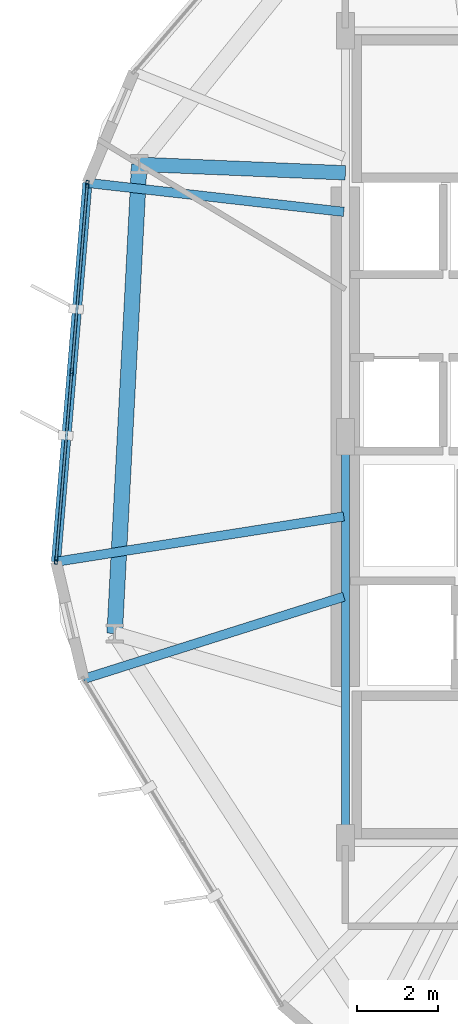
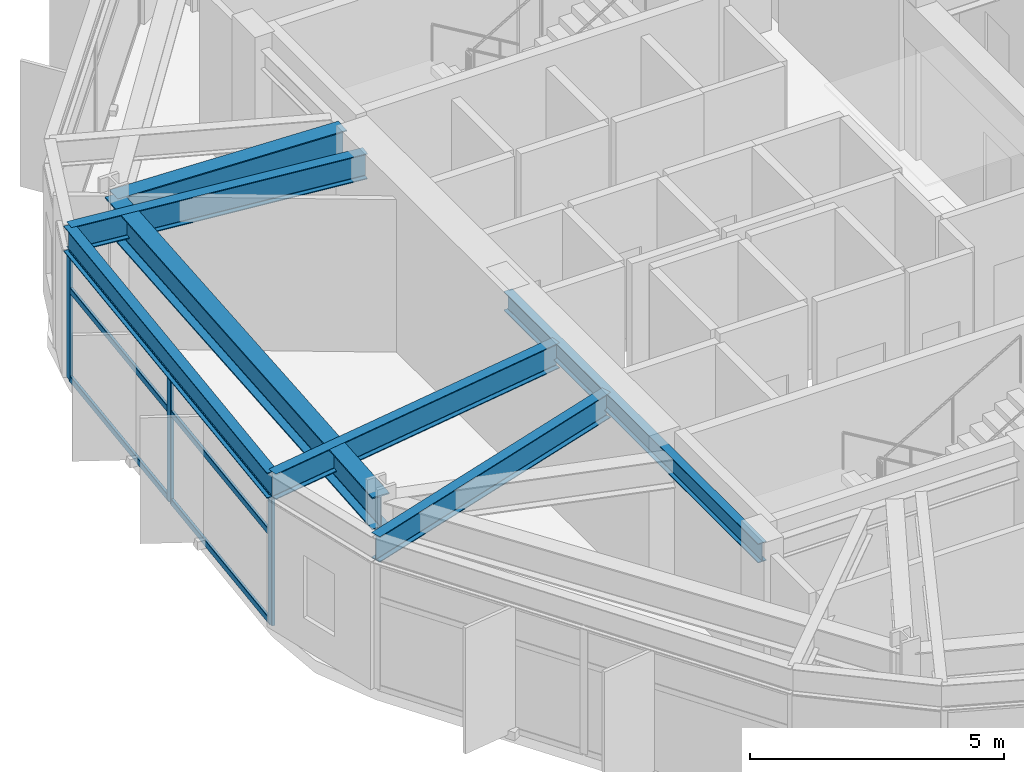
# One storey, part 6 of 21: 9 members, 7 beams, 1 element without a shape of its own.
"""IFC4 building model written with IfcOpenShell, lengths in metres."""

from ifc_helpers import new_model, si_unit, direction, frame, origin, origin_2d, place, context, subcontext, project, spatial, hollow_rectangle, i_section, extrude, material, layer, layer_set, material_profile, profile_set, type_object, element, aggregate, save


model = new_model("IFC4")

# Units and contexts
model_context = context("Model", 3, precision=1e-05, world=origin(), true_north=direction((0.0, 1.0)))
body_context = subcontext(model_context, "Body", "Model", "MODEL_VIEW")
ifc_project = project(units=[si_unit("LENGTHUNIT", "METRE"), si_unit("AREAUNIT", "SQUARE_METRE"), si_unit("VOLUMEUNIT", "CUBIC_METRE"), si_unit("PLANEANGLEUNIT", "RADIAN"), si_unit("MASSUNIT", "GRAM", prefix="KILO")], contexts=[model_context])

# Site, building, storey
site_placement = place(None, origin())
site = spatial("IfcSite", under=ifc_project, at=site_placement, CompositionType="ELEMENT")
building_placement = place(site_placement, origin())
building = spatial("IfcBuilding", under=site, at=building_placement, Name="Soratama Intermodal Tower", CompositionType="ELEMENT")
storey_placement = place(building_placement, frame((0.0, 0.0, 78.60009765625)))
storey = spatial("IfcBuildingStorey", under=building, at=storey_placement, Name="L18", CompositionType="ELEMENT", Elevation=78.60009765625)

# Beams
ifc_material_1 = material(Name="Structural steel ASTM A992 Grade 50", Category="steel")
ifc_material_profile_1 = material_profile(ifc_material_1, i_section(OverallWidth=0.19091796875, OverallDepth=0.4599609375, WebThickness=0.010009765625, FlangeThickness=0.01611328125, FilletRadius=0.010986328125, at=origin_2d()), Name="W18X55")
ifc_profile_set_1 = profile_set([ifc_material_profile_1], Name="Structural steel ASTM A992 Grade 50")
beam_type_1 = type_object("IfcBeamType", Name="BM-FLR-W18X55", PredefinedType="BEAM", material=ifc_profile_set_1)
beam_1_placement = place(storey_placement, frame((32.60009765625, 25.0, 3.429931640625), z_axis=(0.0, -1.0, 0.0), x_axis=(1.0, 0.0, 0.0)))
element("IfcBeam", 1, at=beam_1_placement, inside=storey, type_object=beam_type_1, Name="BM-L18-CRING-09", PredefinedType="BEAM", context=body_context, shape_type="SweptSolid", body=[
    extrude(i_section(OverallWidth=0.19091796875, OverallDepth=0.4599609375, WebThickness=0.010009765625, FlangeThickness=0.01611328125, FilletRadius=0.010986328125, at=origin_2d()), origin(), (0.0, 0.0, 1.0), 10.0),
])
ifc_material_2 = material(Name="Structural steel ASTM A992 Grade 50", Category="steel")
ifc_material_profile_2 = material_profile(ifc_material_2, i_section(OverallWidth=0.35498046875, OverallDepth=0.695068359375, WebThickness=0.015380859375, FlangeThickness=0.02490234375, FilletRadius=0.01611328125, at=origin_2d()), Name="W27X146")
ifc_profile_set_2 = profile_set([ifc_material_profile_2], Name="Structural steel ASTM A992 Grade 50")
beam_type_2 = type_object("IfcBeamType", Name="BM-RING-W27X146", PredefinedType="BEAM", material=ifc_profile_set_2)
beam_2_placement = place(storey_placement, frame((32.60009765625, 31.5, 3.3125), z_axis=(-0.999153929645, 0.041126936131, 0.0), x_axis=(-0.041126936131, -0.999153929645, 0.0)))
element("IfcBeam", 2, at=beam_2_placement, inside=storey, type_object=beam_type_2, Name="BM-L18-RAD-05", PredefinedType="BEAM", context=body_context, shape_type="SweptSolid", body=[
    extrude(i_section(OverallWidth=0.35498046875, OverallDepth=0.695068359375, WebThickness=0.015380859375, FlangeThickness=0.02490234375, FilletRadius=0.01611328125, at=origin_2d()), origin(), (0.0, 0.0, 1.0), 5.08154296875),
])
ifc_material_3 = material(Name="Structural steel ASTM A992 Grade 50", Category="steel")
ifc_material_profile_3 = material_profile(ifc_material_3, i_section(OverallWidth=0.382080078125, OverallDepth=0.779052734375, WebThickness=0.01806640625, FlangeThickness=0.030029296875, FilletRadius=0.01806640625, at=origin_2d()), Name="W30X191")
ifc_profile_set_3 = profile_set([ifc_material_profile_3], Name="Structural steel ASTM A992 Grade 50")
beam_type_3 = type_object("IfcBeamType", Name="BM-RING-W30X191", PredefinedType="BEAM", material=ifc_profile_set_3)
beam_3_placement = place(storey_placement, frame((27.52294921875, 31.708984375, 3.2705078125), z_axis=(-0.052289698717, -0.998631957935, 0.0), x_axis=(0.998631957935, -0.052289698717, 0.0)))
element("IfcBeam", 3, at=beam_3_placement, inside=storey, type_object=beam_type_3, Name="BM-L18-RING-05", PredefinedType="BEAM", context=body_context, shape_type="SweptSolid", body=[
    extrude(i_section(OverallWidth=0.382080078125, OverallDepth=0.779052734375, WebThickness=0.01806640625, FlangeThickness=0.030029296875, FilletRadius=0.01806640625, at=origin_2d()), origin(), (0.0, 0.0, 1.0), 11.56982421875),
])
ifc_material_4 = material(Name="Structural steel ASTM A992 Grade 50", Category="steel")
ifc_material_profile_4 = material_profile(ifc_material_4, i_section(OverallWidth=0.22900390625, OverallDepth=0.612060546875, WebThickness=0.011962890625, FlangeThickness=0.01953125, FilletRadius=0.012939453125, at=origin_2d()), Name="W24X84")
ifc_profile_set_4 = profile_set([ifc_material_profile_4], Name="Structural steel ASTM A992 Grade 50")
beam_type_4 = type_object("IfcBeamType", Name="BM-SPN-W24X84", PredefinedType="SPANDREL", material=ifc_profile_set_4)
beam_4_placement = place(storey_placement, frame((26.2470703125, 31.251953125, 3.35400390625), z_axis=(-0.082693689955, -0.996575011548, 0.0), x_axis=(0.996575011548, -0.082693689955, 0.0)))
element("IfcBeam", 4, at=beam_4_placement, inside=storey, type_object=beam_type_4, Name="BS-L18-F05", PredefinedType="SPANDREL", context=body_context, shape_type="SweptSolid", body=[
    extrude(i_section(OverallWidth=0.22900390625, OverallDepth=0.612060546875, WebThickness=0.011962890625, FlangeThickness=0.01953125, FilletRadius=0.012939453125, at=origin_2d()), origin(), (0.0, 0.0, 1.0), 9.36181640625),
])
ifc_material_5 = material(Name="Structural steel ASTM A992 Grade 50", Category="steel")
ifc_material_profile_5 = material_profile(ifc_material_5, i_section(OverallWidth=0.22900390625, OverallDepth=0.612060546875, WebThickness=0.011962890625, FlangeThickness=0.01953125, FilletRadius=0.012939453125, at=origin_2d()), Name="W24X84")
ifc_profile_set_5 = profile_set([ifc_material_profile_5], Name="Structural steel ASTM A992 Grade 50")
beam_type_5 = type_object("IfcBeamType", Name="BM-TIE-W24X84", PredefinedType="BEAM", material=ifc_profile_set_5)
beam_5_placement = place(storey_placement, frame((32.56005859375, 30.5390625, 3.35400390625), z_axis=(-0.993684374682, 0.112211245033, 0.0), x_axis=(-0.112211245033, -0.993684374682, 0.0)))
element("IfcBeam", 5, at=beam_5_placement, inside=storey, type_object=beam_type_5, Name="BM-L18-TIE0-05", PredefinedType="BEAM", context=body_context, shape_type="SweptSolid", body=[
    extrude(i_section(OverallWidth=0.22900390625, OverallDepth=0.612060546875, WebThickness=0.011962890625, FlangeThickness=0.01953125, FilletRadius=0.012939453125, at=origin_2d()), origin(), (0.0, 0.0, 1.0), 6.35302734375),
])
beam_6_placement = place(storey_placement, frame((32.56005859375, 23.0390625, 3.35400390625), z_axis=(-0.987807621402, -0.155679488371, 0.0), x_axis=(0.155679488371, -0.987807621402, 0.0)))
element("IfcBeam", 6, at=beam_6_placement, inside=storey, type_object=beam_type_5, Name="BM-L18-TIE1-05", PredefinedType="BEAM", context=body_context, shape_type="SweptSolid", body=[
    extrude(i_section(OverallWidth=0.22900390625, OverallDepth=0.612060546875, WebThickness=0.011962890625, FlangeThickness=0.01953125, FilletRadius=0.012939453125, at=origin_2d()), origin(), (0.0, 0.0, 1.0), 7.174560546875),
])
beam_7_placement = place(storey_placement, frame((32.56201171875, 21.06298828125, 3.35400390625), z_axis=(-0.95338978013, -0.301741490591, 0.0), x_axis=(0.301741490591, -0.95338978013, 0.0)))
element("IfcBeam", 7, at=beam_7_placement, inside=storey, type_object=beam_type_5, Name="BM-L18-TIE0-06", PredefinedType="BEAM", context=body_context, shape_type="SweptSolid", body=[
    extrude(i_section(OverallWidth=0.22900390625, OverallDepth=0.612060546875, WebThickness=0.011962890625, FlangeThickness=0.01953125, FilletRadius=0.012939453125, at=origin_2d()), origin(), (0.0, 0.0, 1.0), 6.72119140625),
])

# Curtain wall, members
ifc_material_6 = material(Name="Double-glazed aluminium curtain wall", Category="aluminium")
ifc_layer = layer(ifc_material_6, 0.159912109375)
ifc_layer_set = layer_set([ifc_layer], Name="Double-glazed aluminium curtain wall")
curtain_wall_type = type_object("IfcCurtainWallType", Name="CW-SYS-2", PredefinedType="NOTDEFINED", material=ifc_layer_set)
curtain_wall_placement = place(storey_placement, origin())
curtain_wall = element("IfcCurtainWall", 8, at=curtain_wall_placement, inside=storey, type_object=curtain_wall_type, Name="L18 Faceted Curtain Wall F05", PredefinedType="NOTDEFINED")
ifc_material_7 = material(Name="Anodised aluminium AA 6063-T6", Category="aluminium")
ifc_material_profile_6 = material_profile(ifc_material_7, hollow_rectangle(XDim=0.074951171875, YDim=0.179931640625, WallThickness=0.006103515625, InnerFilletRadius=0.006103515625, OuterFilletRadius=0.011962890625, at=origin_2d()), Name="CWM180X75X6")
ifc_profile_set_6 = profile_set([ifc_material_profile_6], Name="Anodised aluminium AA 6063-T6")
member_type_1 = type_object("IfcMemberType", Name="MT-CWM-2", PredefinedType="MULLION", material=ifc_profile_set_6)
member_1_placement = place(storey_placement, frame((26.244140625, 31.221923828125, 0.0), z_axis=(0.0, 0.0, 1.0), x_axis=(0.996580662655, -0.082625557919, 0.0)))
member_1 = element("IfcMember", 9, at=member_1_placement, type_object=member_type_1, Name="CW-2 mullion 1", PredefinedType="MULLION", context=body_context, shape_type="SweptSolid", body=[
    extrude(hollow_rectangle(XDim=0.074951171875, YDim=0.179931640625, WallThickness=0.006103515625, InnerFilletRadius=0.006103515625, OuterFilletRadius=0.011962890625, at=origin_2d()), origin(), (0.0, 0.0, 1.0), 3.038818359375),
])
member_2_placement = place(storey_placement, frame((25.85986328125, 26.587158203125, 0.0), z_axis=(0.0, 0.0, 1.0), x_axis=(0.996580662655, -0.082625557919, 0.0)))
member_2 = element("IfcMember", 10, at=member_2_placement, type_object=member_type_1, Name="CW-2 mullion 2", PredefinedType="MULLION", context=body_context, shape_type="SweptSolid", body=[
    extrude(hollow_rectangle(XDim=0.074951171875, YDim=0.179931640625, WallThickness=0.006103515625, InnerFilletRadius=0.006103515625, OuterFilletRadius=0.011962890625, at=origin_2d()), origin(), (0.0, 0.0, 1.0), 3.038818359375),
])
member_3_placement = place(storey_placement, frame((25.4755859375, 21.9521484375, 0.0), z_axis=(0.0, 0.0, 1.0), x_axis=(0.996580662655, -0.082625557919, 0.0)))
member_3 = element("IfcMember", 11, at=member_3_placement, type_object=member_type_1, Name="CW-2 mullion 3", PredefinedType="MULLION", context=body_context, shape_type="SweptSolid", body=[
    extrude(hollow_rectangle(XDim=0.074951171875, YDim=0.179931640625, WallThickness=0.006103515625, InnerFilletRadius=0.006103515625, OuterFilletRadius=0.011962890625, at=origin_2d()), origin(), (0.0, 0.0, 1.0), 3.038818359375),
])
ifc_material_8 = material(Name="Anodised aluminium AA 6063-T6", Category="aluminium")
ifc_material_profile_7 = material_profile(ifc_material_8, hollow_rectangle(XDim=0.06494140625, YDim=0.14990234375, WallThickness=0.0048828125, InnerFilletRadius=0.0048828125, OuterFilletRadius=0.010009765625, at=origin_2d()), Name="CWT150X65X5")
ifc_profile_set_7 = profile_set([ifc_material_profile_7], Name="Anodised aluminium AA 6063-T6")
member_type_2 = type_object("IfcMemberType", Name="TT-CWT-1", PredefinedType="USERDEFINED", material=ifc_profile_set_7)
member_4_placement = place(storey_placement, frame((26.24169921875, 31.19189453125, 0.02978515625), z_axis=(-0.082644957045, -0.996579054102, 0.0), x_axis=(0.996579054102, -0.082644957045, 0.0)))
member_4 = element("IfcMember", 12, at=member_4_placement, type_object=member_type_2, Name="CW-2 transom 1.1", ObjectType="TRANSOM", PredefinedType="USERDEFINED", context=body_context, shape_type="SweptSolid", body=[
    extrude(hollow_rectangle(XDim=0.06494140625, YDim=0.14990234375, WallThickness=0.0048828125, InnerFilletRadius=0.0048828125, OuterFilletRadius=0.010009765625, at=origin_2d()), origin(), (0.0, 0.0, 1.0), 4.590576171875),
])
member_5_placement = place(storey_placement, frame((26.24169921875, 31.19189453125, 2.14990234375), z_axis=(-0.082644957045, -0.996579054102, 0.0), x_axis=(0.996579054102, -0.082644957045, 0.0)))
member_5 = element("IfcMember", 13, at=member_5_placement, type_object=member_type_2, Name="CW-2 transom 1.2", ObjectType="TRANSOM", PredefinedType="USERDEFINED", context=body_context, shape_type="SweptSolid", body=[
    extrude(hollow_rectangle(XDim=0.06494140625, YDim=0.14990234375, WallThickness=0.0048828125, InnerFilletRadius=0.0048828125, OuterFilletRadius=0.010009765625, at=origin_2d()), origin(), (0.0, 0.0, 1.0), 4.590576171875),
])
member_6_placement = place(storey_placement, frame((26.24169921875, 31.19189453125, 3.0087890625), z_axis=(-0.082644957045, -0.996579054102, 0.0), x_axis=(0.996579054102, -0.082644957045, 0.0)))
member_6 = element("IfcMember", 14, at=member_6_placement, type_object=member_type_2, Name="CW-2 transom 1.3", ObjectType="TRANSOM", PredefinedType="USERDEFINED", context=body_context, shape_type="SweptSolid", body=[
    extrude(hollow_rectangle(XDim=0.06494140625, YDim=0.14990234375, WallThickness=0.0048828125, InnerFilletRadius=0.0048828125, OuterFilletRadius=0.010009765625, at=origin_2d()), origin(), (0.0, 0.0, 1.0), 4.590576171875),
])
member_7_placement = place(storey_placement, frame((25.857421875, 26.55712890625, 0.02978515625), z_axis=(-0.082644957045, -0.996579054102, 0.0), x_axis=(0.996579054102, -0.082644957045, 0.0)))
member_7 = element("IfcMember", 15, at=member_7_placement, type_object=member_type_2, Name="CW-2 transom 2.1", ObjectType="TRANSOM", PredefinedType="USERDEFINED", context=body_context, shape_type="SweptSolid", body=[
    extrude(hollow_rectangle(XDim=0.06494140625, YDim=0.14990234375, WallThickness=0.0048828125, InnerFilletRadius=0.0048828125, OuterFilletRadius=0.010009765625, at=origin_2d()), origin(), (0.0, 0.0, 1.0), 4.590576171875),
])
member_8_placement = place(storey_placement, frame((25.857421875, 26.55712890625, 2.14990234375), z_axis=(-0.082644957045, -0.996579054102, 0.0), x_axis=(0.996579054102, -0.082644957045, 0.0)))
member_8 = element("IfcMember", 16, at=member_8_placement, type_object=member_type_2, Name="CW-2 transom 2.2", ObjectType="TRANSOM", PredefinedType="USERDEFINED", context=body_context, shape_type="SweptSolid", body=[
    extrude(hollow_rectangle(XDim=0.06494140625, YDim=0.14990234375, WallThickness=0.0048828125, InnerFilletRadius=0.0048828125, OuterFilletRadius=0.010009765625, at=origin_2d()), origin(), (0.0, 0.0, 1.0), 4.590576171875),
])
member_9_placement = place(storey_placement, frame((25.857421875, 26.55712890625, 3.0087890625), z_axis=(-0.082644957045, -0.996579054102, 0.0), x_axis=(0.996579054102, -0.082644957045, 0.0)))
member_9 = element("IfcMember", 17, at=member_9_placement, type_object=member_type_2, Name="CW-2 transom 2.3", ObjectType="TRANSOM", PredefinedType="USERDEFINED", context=body_context, shape_type="SweptSolid", body=[
    extrude(hollow_rectangle(XDim=0.06494140625, YDim=0.14990234375, WallThickness=0.0048828125, InnerFilletRadius=0.0048828125, OuterFilletRadius=0.010009765625, at=origin_2d()), origin(), (0.0, 0.0, 1.0), 4.590576171875),
])
aggregate(curtain_wall, [member_1, member_2, member_3, member_4, member_5, member_6, member_7, member_8, member_9])

save(model, "model.ifc")
